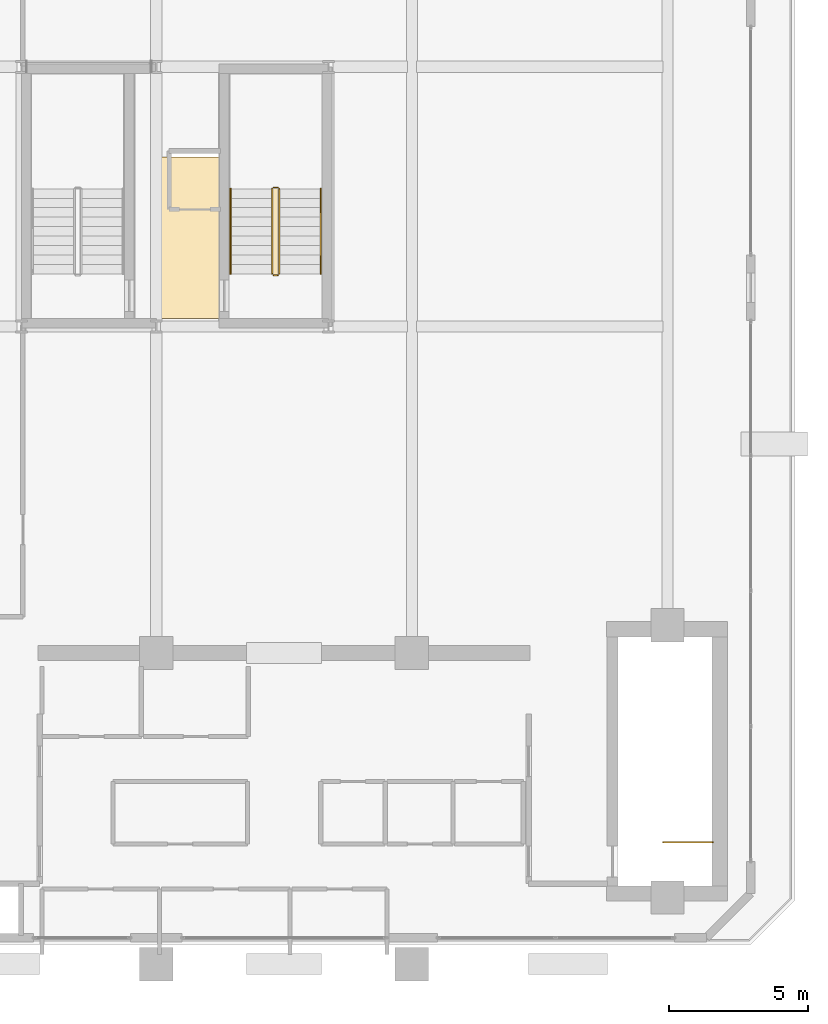
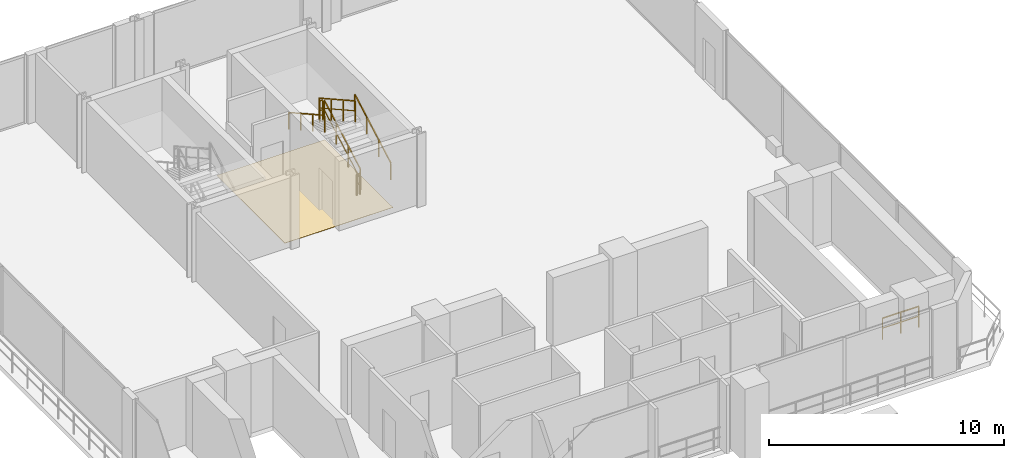
# One storey, part 26 of 26: 7 railings, 1 covering.
"""IFC4 building model written with IfcOpenShell, lengths in metres."""

from ifc_helpers import new_model, si_unit, direction, frame, origin, origin_2d, place, context, subcontext, project, spatial, polyline, rectangle, outline, extrude, material, layer, layer_set, type_object, element, save


model = new_model("IFC4")

# Units and contexts
model_context = context("Model", 3, precision=1e-05, world=origin(), true_north=direction((0.0, 1.0)))
body_context = subcontext(model_context, "Body", "Model", "MODEL_VIEW")
ifc_project = project(units=[si_unit("LENGTHUNIT", "METRE"), si_unit("AREAUNIT", "SQUARE_METRE"), si_unit("VOLUMEUNIT", "CUBIC_METRE"), si_unit("PLANEANGLEUNIT", "RADIAN"), si_unit("MASSUNIT", "GRAM", prefix="KILO")], contexts=[model_context])

# Site, building, storey
site_placement = place(None, origin())
site = spatial("IfcSite", under=ifc_project, at=site_placement, CompositionType="ELEMENT")
building_placement = place(site_placement, origin())
building = spatial("IfcBuilding", under=site, at=building_placement, Name="Zuhayl Quay Hotel", CompositionType="ELEMENT")
storey_placement = place(building_placement, frame((0.0, 0.0, 301.050048828125)))
storey = spatial("IfcBuildingStorey", under=building, at=storey_placement, Name="Crown 2", CompositionType="ELEMENT", Elevation=301.050048828125)

# Covering
ifc_material_1 = material(Name="EPDM Elastomeric Waterproofing Membrane")
ifc_layer = layer(ifc_material_1, 0.014892578125, Name="EPDM Elastomeric Waterproofing Membrane")
ifc_layer_set = layer_set([ifc_layer], Name="EPDM Elastomeric Waterproofing Membrane")
covering_type = type_object("IfcCoveringType", Name="CV_ROOF_MEMBRANE", PredefinedType="ROOFING", material=ifc_layer_set)
covering_placement = place(storey_placement, origin())
element("IfcCovering", 1, at=covering_placement, inside=storey, type_object=covering_type, Name="Crown 2 Elastomeric Roof Membrane", PredefinedType="ROOFING", context=body_context, shape_type="SweptSolid", body=[
    extrude(outline(polyline([(-4.800048828125, 25.39990234375), (0.5, 25.39990234375), (0.5, 31.199951171875), (-4.800048828125, 31.199951171875), (-4.800048828125, 25.39990234375)])), origin(), (0.0, 0.0, 1.0), 0.014892578125),
])

# Railings
ifc_material_2 = material(Name="Steel ASTM A992 Grade 50", Category="steel")
railing_type_1 = type_object("IfcRailingType", Name="RL_GUARD_1100", PredefinedType="GUARDRAIL", material=ifc_material_2)
railing_1_placement = place(storey_placement, frame((15.429931640625, 6.5400390625, 0.0)))
element("IfcRailing", 2, at=railing_1_placement, inside=storey, type_object=railing_type_1, Name="Crown 2 ST2 top well guard 1", PredefinedType="GUARDRAIL", context=body_context, shape_type="SweptSolid", body=[
    extrude(rectangle(XDim=0.048095703125, YDim=0.048095703125, at=origin_2d()), frame((0.0, 0.0, 1.09619140625), z_axis=(-1.0, 0.0, 0.0), x_axis=(0.0, -1.0, 0.0)), (0.0, 0.0, 1.0), 1.7900390625),
    extrude(rectangle(XDim=0.0361328125, YDim=0.0361328125, at=origin_2d()), frame((0.0, 0.0, 0.58251953125), z_axis=(-1.0, 0.0, 0.0), x_axis=(0.0, -1.0, 0.0)), (0.0, 0.0, 1.0), 1.7900390625),
    extrude(rectangle(XDim=0.0419921875, YDim=0.0419921875, at=origin_2d()), origin(), (0.0, 0.0, 1.0), 1.072021484375),
    extrude(rectangle(XDim=0.0419921875, YDim=0.0419921875, at=origin_2d()), frame((-0.89501953125, 0.0, 0.0)), (0.0, 0.0, 1.0), 1.072021484375),
    extrude(rectangle(XDim=0.0419921875, YDim=0.0419921875, at=origin_2d()), frame((-1.7900390625, 0.0, 0.0)), (0.0, 0.0, 1.0), 1.072021484375),
])
railing_2_placement = place(storey_placement, frame((-0.179931640625, 27.0, 0.18994140625)))
element("IfcRailing", 3, at=railing_2_placement, inside=storey, type_object=railing_type_1, Name="Crown 2 ST6 stair guard 1", PredefinedType="GUARDRAIL", context=body_context, shape_type="SweptSolid", body=[
    extrude(rectangle(XDim=0.048095703125, YDim=0.048095703125, at=origin_2d()), frame((0.0, 0.0, 1.09619140625), z_axis=(0.0, 0.872952205056, 0.487805747903), x_axis=(-1.0, 0.0, 0.0)), (0.0, 0.0, 1.0), 3.50537109375),
    extrude(rectangle(XDim=0.0361328125, YDim=0.0361328125, at=origin_2d()), frame((0.0, 0.0, 0.58251953125), z_axis=(0.0, 0.872952205056, 0.487805747903), x_axis=(-1.0, 0.0, 0.0)), (0.0, 0.0, 1.0), 3.50537109375),
    extrude(rectangle(XDim=0.0419921875, YDim=0.0419921875, at=origin_2d()), origin(), (0.0, 0.0, 1.0), 1.072021484375),
    extrude(rectangle(XDim=0.0419921875, YDim=0.0419921875, at=origin_2d()), frame((0.0, 1.02001953125, 0.570068359375)), (0.0, 0.0, 1.0), 1.072021484375),
    extrude(rectangle(XDim=0.0419921875, YDim=0.0419921875, at=origin_2d()), frame((0.0, 2.0400390625, 1.139892578125)), (0.0, 0.0, 1.0), 1.072021484375),
    extrude(rectangle(XDim=0.0419921875, YDim=0.0419921875, at=origin_2d()), frame((0.0, 3.06005859375, 1.7099609375)), (0.0, 0.0, 1.0), 1.072021484375),
])
railing_3_placement = place(storey_placement, frame((-0.22998046875, 30.110107421875, 1.89990234375)))
element("IfcRailing", 4, at=railing_3_placement, inside=storey, type_object=railing_type_1, Name="Crown 2 ST6 stair guard 2", PredefinedType="GUARDRAIL", context=body_context, shape_type="SweptSolid", body=[
    extrude(rectangle(XDim=0.048095703125, YDim=0.048095703125, at=origin_2d()), frame((0.0, 0.0, 1.09619140625), z_axis=(-1.0, 0.0, 0.0), x_axis=(0.0, -1.0, 0.0)), (0.0, 0.0, 1.0), 0.14990234375),
    extrude(rectangle(XDim=0.0361328125, YDim=0.0361328125, at=origin_2d()), frame((0.0, 0.0, 0.58251953125), z_axis=(-1.0, 0.0, 0.0), x_axis=(0.0, -1.0, 0.0)), (0.0, 0.0, 1.0), 0.14990234375),
    extrude(rectangle(XDim=0.0419921875, YDim=0.0419921875, at=origin_2d()), origin(), (0.0, 0.0, 1.0), 1.072021484375),
    extrude(rectangle(XDim=0.0419921875, YDim=0.0419921875, at=origin_2d()), frame((-0.14990234375, 0.0, 0.0)), (0.0, 0.0, 1.0), 1.072021484375),
])
railing_4_placement = place(storey_placement, frame((-0.429931640625, 30.06005859375, 2.08984375)))
element("IfcRailing", 5, at=railing_4_placement, inside=storey, type_object=railing_type_1, Name="Crown 2 ST6 stair guard 3", PredefinedType="GUARDRAIL", context=body_context, shape_type="SweptSolid", body=[
    extrude(rectangle(XDim=0.048095703125, YDim=0.048095703125, at=origin_2d()), frame((0.0, 0.0, 1.09619140625), z_axis=(0.0, -0.872922546704, 0.487858819185), x_axis=(1.0, 0.0, 0.0)), (0.0, 0.0, 1.0), 3.505615234375),
    extrude(rectangle(XDim=0.0361328125, YDim=0.0361328125, at=origin_2d()), frame((0.0, 0.0, 0.58251953125), z_axis=(0.0, -0.872922546704, 0.487858819185), x_axis=(1.0, 0.0, 0.0)), (0.0, 0.0, 1.0), 3.505615234375),
    extrude(rectangle(XDim=0.0419921875, YDim=0.0419921875, at=origin_2d()), origin(), (0.0, 0.0, 1.0), 1.072021484375),
    extrude(rectangle(XDim=0.0419921875, YDim=0.0419921875, at=origin_2d()), frame((0.0, -1.02001953125, 0.570068359375)), (0.0, 0.0, 1.0), 1.072021484375),
    extrude(rectangle(XDim=0.0419921875, YDim=0.0419921875, at=origin_2d()), frame((0.0, -2.0400390625, 1.14013671875)), (0.0, 0.0, 1.0), 1.072021484375),
    extrude(rectangle(XDim=0.0419921875, YDim=0.0419921875, at=origin_2d()), frame((0.0, -3.06005859375, 1.710205078125)), (0.0, 0.0, 1.0), 1.072021484375),
])
railing_5_placement = place(storey_placement, frame((-0.22998046875, 26.949951171875, 0.0)))
element("IfcRailing", 6, at=railing_5_placement, inside=storey, type_object=railing_type_1, Name="Crown 2 ST6 stair guard 4", PredefinedType="GUARDRAIL", context=body_context, shape_type="SweptSolid", body=[
    extrude(rectangle(XDim=0.048095703125, YDim=0.048095703125, at=origin_2d()), frame((0.0, 0.0, 1.09619140625), z_axis=(-1.0, 0.0, 0.0), x_axis=(0.0, -1.0, 0.0)), (0.0, 0.0, 1.0), 0.14990234375),
    extrude(rectangle(XDim=0.0361328125, YDim=0.0361328125, at=origin_2d()), frame((0.0, 0.0, 0.58251953125), z_axis=(-1.0, 0.0, 0.0), x_axis=(0.0, -1.0, 0.0)), (0.0, 0.0, 1.0), 0.14990234375),
    extrude(rectangle(XDim=0.0419921875, YDim=0.0419921875, at=origin_2d()), origin(), (0.0, 0.0, 1.0), 1.072021484375),
    extrude(rectangle(XDim=0.0419921875, YDim=0.0419921875, at=origin_2d()), frame((-0.14990234375, 0.0, 0.0)), (0.0, 0.0, 1.0), 1.072021484375),
])
railing_type_2 = type_object("IfcRailingType", Name="RL_HANDRAIL_920", PredefinedType="HANDRAIL", material=ifc_material_2)
railing_6_placement = place(storey_placement, frame((1.320068359375, 27.0, 0.18994140625)))
element("IfcRailing", 7, at=railing_6_placement, inside=storey, type_object=railing_type_2, Name="Crown 2 ST6 stair handrail 1", PredefinedType="HANDRAIL", context=body_context, shape_type="SweptSolid", body=[
    extrude(rectangle(XDim=0.048095703125, YDim=0.048095703125, at=origin_2d()), frame((0.0, 0.0, 0.8759765625), z_axis=(0.0, 0.872952205056, 0.487805747903), x_axis=(-1.0, 0.0, 0.0)), (0.0, 0.0, 1.0), 3.50537109375),
    extrude(rectangle(XDim=0.0419921875, YDim=0.0419921875, at=origin_2d()), origin(), (0.0, 0.0, 1.0), 0.851806640625),
    extrude(rectangle(XDim=0.0419921875, YDim=0.0419921875, at=origin_2d()), frame((0.0, 1.02001953125, 0.570068359375)), (0.0, 0.0, 1.0), 0.851806640625),
    extrude(rectangle(XDim=0.0419921875, YDim=0.0419921875, at=origin_2d()), frame((0.0, 2.0400390625, 1.139892578125)), (0.0, 0.0, 1.0), 0.851806640625),
    extrude(rectangle(XDim=0.0419921875, YDim=0.0419921875, at=origin_2d()), frame((0.0, 3.06005859375, 1.7099609375)), (0.0, 0.0, 1.0), 0.851806640625),
])
railing_7_placement = place(storey_placement, frame((-1.929931640625, 30.06005859375, 2.08984375)))
element("IfcRailing", 8, at=railing_7_placement, inside=storey, type_object=railing_type_2, Name="Crown 2 ST6 stair handrail 2", PredefinedType="HANDRAIL", context=body_context, shape_type="SweptSolid", body=[
    extrude(rectangle(XDim=0.048095703125, YDim=0.048095703125, at=origin_2d()), frame((0.0, 0.0, 0.8759765625), z_axis=(0.0, -0.872922546704, 0.487858819185), x_axis=(1.0, 0.0, 0.0)), (0.0, 0.0, 1.0), 3.505615234375),
    extrude(rectangle(XDim=0.0419921875, YDim=0.0419921875, at=origin_2d()), origin(), (0.0, 0.0, 1.0), 0.851806640625),
    extrude(rectangle(XDim=0.0419921875, YDim=0.0419921875, at=origin_2d()), frame((0.0, -1.02001953125, 0.570068359375)), (0.0, 0.0, 1.0), 0.851806640625),
    extrude(rectangle(XDim=0.0419921875, YDim=0.0419921875, at=origin_2d()), frame((0.0, -2.0400390625, 1.14013671875)), (0.0, 0.0, 1.0), 0.851806640625),
    extrude(rectangle(XDim=0.0419921875, YDim=0.0419921875, at=origin_2d()), frame((0.0, -3.06005859375, 1.710205078125)), (0.0, 0.0, 1.0), 0.851806640625),
])

save(model, "model.ifc")
